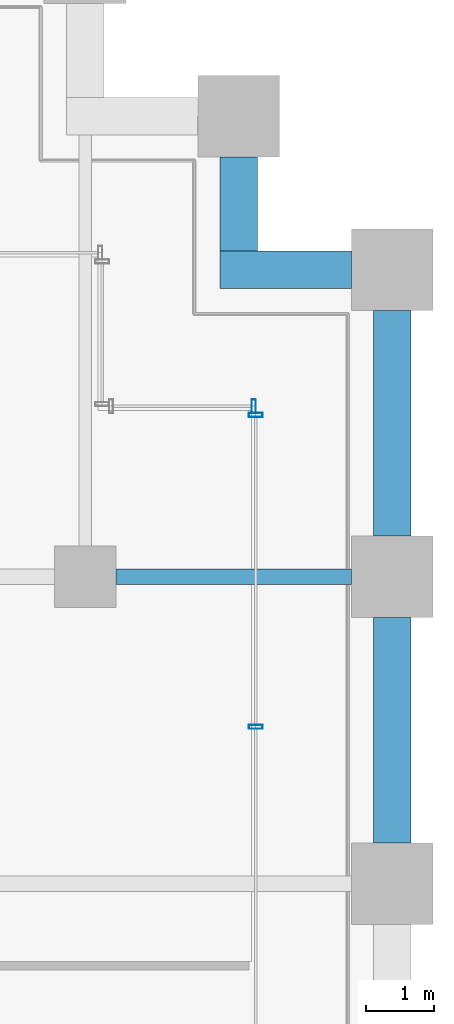
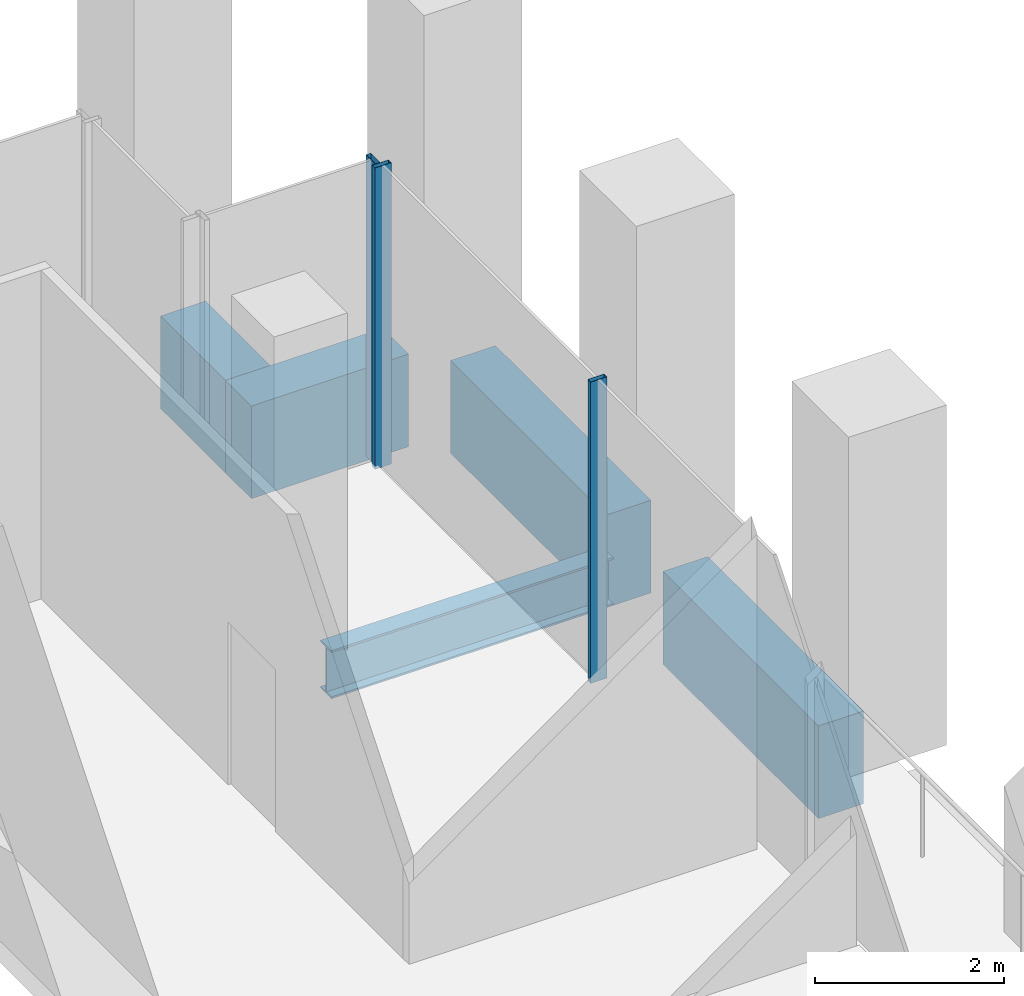
# One storey, part 27 of 36: 5 beams, 3 members, 2 elements without a shape of their own.
"""IFC4 building model written with IfcOpenShell, lengths in metres."""

from ifc_helpers import new_model, si_unit, direction, frame, origin, origin_2d, place, context, subcontext, project, spatial, rectangle, hollow_rectangle, i_section, extrude, material, material_profile, profile_set, type_object, element, aggregate, save


model = new_model("IFC4")

# Units and contexts
model_context = context("Model", 3, precision=1e-05, world=origin(), true_north=direction((0.0, 1.0)))
body_context = subcontext(model_context, "Body", "Model", "MODEL_VIEW")
ifc_project = project(units=[si_unit("LENGTHUNIT", "METRE"), si_unit("AREAUNIT", "SQUARE_METRE"), si_unit("VOLUMEUNIT", "CUBIC_METRE"), si_unit("PLANEANGLEUNIT", "RADIAN"), si_unit("MASSUNIT", "GRAM", prefix="KILO")], contexts=[model_context])

# Site, building, storey
site_placement = place(None, origin())
site = spatial("IfcSite", under=ifc_project, at=site_placement, CompositionType="ELEMENT")
building_placement = place(site_placement, origin())
building = spatial("IfcBuilding", under=site, at=building_placement, Name="Altepetl Exchange Towers", CompositionType="ELEMENT")
storey_placement = place(building_placement, frame((0.0, 0.0, 43.0)))
storey = spatial("IfcBuildingStorey", under=building, at=storey_placement, Name="L09", CompositionType="ELEMENT", Elevation=43.0)

# Beam
ifc_material_1 = material(Name="Steel S355", Category="steel")
ifc_material_profile_1 = material_profile(ifc_material_1, i_section(OverallWidth=0.22900390625, OverallDepth=0.623046875, WebThickness=0.013916015625, FlangeThickness=0.02490234375, at=origin_2d()), Name="W24X103")
ifc_profile_set_1 = profile_set([ifc_material_profile_1], Name="Steel S355")
beam_type_1 = type_object("IfcBeamType", Name="Girder W24X103", PredefinedType="BEAM", material=ifc_profile_set_1)
beam_1_placement = place(storey_placement, frame((121.949951171875, 49.5, -0.486572265625), z_axis=(1.0, 0.0, 0.0), x_axis=(0.0, 1.0, 0.0)))
element("IfcBeam", 1, at=beam_1_placement, inside=storey, type_object=beam_type_1, Name="gd:B:L09:001", PredefinedType="BEAM", context=body_context, shape_type="SweptSolid", body=[
    extrude(i_section(OverallWidth=0.22900390625, OverallDepth=0.623046875, WebThickness=0.013916015625, FlangeThickness=0.02490234375, at=origin_2d()), origin(), (0.0, 0.0, 1.0), 3.449951171875),
])

# Curtain wall, members
ifc_material_2 = material(Name="Aluminium 6063-T6 glazing", Category="aluminium")
curtain_wall_type = type_object("IfcCurtainWallType", Name="Trading floor glazing system", PredefinedType="NOTDEFINED", material=ifc_material_2)
curtain_wall_1_placement = place(storey_placement, origin())
curtain_wall_1 = element("IfcCurtainWall", 2, at=curtain_wall_1_placement, inside=storey, type_object=curtain_wall_type, Name="CW2 run", PredefinedType="NOTDEFINED")
ifc_material_3 = material(Name="Aluminium 6063-T6", Category="aluminium")
ifc_material_profile_2 = material_profile(ifc_material_3, hollow_rectangle(XDim=0.06005859375, YDim=0.199951171875, WallThickness=0.0029296875, at=origin_2d()), Name="Mullion 60x200 aluminium")
ifc_profile_set_2 = profile_set([ifc_material_profile_2], Name="Aluminium 6063-T6")
member_type = type_object("IfcMemberType", Name="Mullion 60x200 aluminium", PredefinedType="MULLION", material=ifc_profile_set_2)
member_1_placement = place(storey_placement, frame((124.0, 47.300048828125, 0.0), z_axis=(0.0, 0.0, 1.0), x_axis=(0.0, 1.0, 0.0)))
member_1 = element("IfcMember", 3, at=member_1_placement, type_object=member_type, Name="MU2 mullion", PredefinedType="MULLION", context=body_context, shape_type="SweptSolid", body=[
    extrude(hollow_rectangle(XDim=0.06005859375, YDim=0.199951171875, WallThickness=0.0029296875, at=origin_2d()), origin(), (0.0, 0.0, 1.0), 3.89990234375),
])
member_2_placement = place(storey_placement, frame((124.0, 51.8701171875, 0.0), z_axis=(0.0, 0.0, 1.0), x_axis=(0.0, 1.0, 0.0)))
member_2 = element("IfcMember", 4, at=member_2_placement, type_object=member_type, Name="MU2 mullion", PredefinedType="MULLION", context=body_context, shape_type="SweptSolid", body=[
    extrude(hollow_rectangle(XDim=0.06005859375, YDim=0.199951171875, WallThickness=0.0029296875, at=origin_2d()), origin(), (0.0, 0.0, 1.0), 3.89990234375),
])
aggregate(curtain_wall_1, [member_1, member_2])

# Curtain wall, member
curtain_wall_2_placement = place(storey_placement, origin())
curtain_wall_2 = element("IfcCurtainWall", 5, at=curtain_wall_2_placement, inside=storey, type_object=curtain_wall_type, Name="CW2 run", PredefinedType="NOTDEFINED")
member_3_placement = place(storey_placement, frame((123.969970703125, 52.0, 0.0), z_axis=(0.0, 0.0, 1.0), x_axis=(-1.0, 0.0, 0.0)))
member_3 = element("IfcMember", 6, at=member_3_placement, type_object=member_type, Name="MU2 mullion", PredefinedType="MULLION", context=body_context, shape_type="SweptSolid", body=[
    extrude(hollow_rectangle(XDim=0.06005859375, YDim=0.199951171875, WallThickness=0.0029296875, at=origin_2d()), origin(), (0.0, 0.0, 1.0), 3.89990234375),
])
aggregate(curtain_wall_2, [member_3])

# Beams
ifc_material_4 = material(Name="Concrete C50/60 precast with cantera amarilla facing", Category="concrete")
ifc_material_profile_3 = material_profile(ifc_material_4, rectangle(XDim=0.550048828125, YDim=1.199951171875, at=origin_2d()), Name="550 x 1200")
ifc_profile_set_3 = profile_set([ifc_material_profile_3], Name="Concrete C50/60 precast with cantera amarilla facing")
beam_type_2 = type_object("IfcBeamType", Name="Spandrel beam 550x1200 cantera amarilla", PredefinedType="SPANDREL", material=ifc_profile_set_3)
beam_2_placement = place(storey_placement, frame((126.0, 50.10009765625, -0.77490234375), z_axis=(0.0, 1.0, 0.0), x_axis=(-1.0, 0.0, 0.0)))
element("IfcBeam", 7, at=beam_2_placement, inside=storey, type_object=beam_type_2, Name="sp:B:L09:013", PredefinedType="SPANDREL", context=body_context, shape_type="SweptSolid", body=[
    extrude(rectangle(XDim=0.550048828125, YDim=1.199951171875, at=origin_2d()), origin(), (0.0, 0.0, 1.0), 3.2998046875),
])
beam_3_placement = place(storey_placement, frame((125.39990234375, 54.0, -0.77490234375), z_axis=(-1.0, 0.0, 0.0), x_axis=(0.0, -1.0, 0.0)))
element("IfcBeam", 8, at=beam_3_placement, inside=storey, type_object=beam_type_2, Name="sp:B:L09:014", PredefinedType="SPANDREL", context=body_context, shape_type="SweptSolid", body=[
    extrude(rectangle(XDim=0.550048828125, YDim=1.199951171875, at=origin_2d()), origin(), (0.0, 0.0, 1.0), 1.9248046875),
])
beam_4_placement = place(storey_placement, frame((123.75, 54.27490234375, -0.77490234375), z_axis=(0.0, 1.0, 0.0), x_axis=(-1.0, 0.0, 0.0)))
element("IfcBeam", 9, at=beam_4_placement, inside=storey, type_object=beam_type_2, Name="sp:B:L09:015", PredefinedType="SPANDREL", context=body_context, shape_type="SweptSolid", body=[
    extrude(rectangle(XDim=0.550048828125, YDim=1.199951171875, at=origin_2d()), origin(), (0.0, 0.0, 1.0), 1.375),
])
ifc_material_5 = material(Name="Concrete C50/60 precast with cantera blanca facing", Category="concrete")
ifc_material_profile_4 = material_profile(ifc_material_5, rectangle(XDim=0.550048828125, YDim=1.199951171875, at=origin_2d()), Name="550 x 1200")
ifc_profile_set_4 = profile_set([ifc_material_profile_4], Name="Concrete C50/60 precast with cantera blanca facing")
beam_type_3 = type_object("IfcBeamType", Name="Spandrel beam 550x1200 cantera blanca", PredefinedType="SPANDREL", material=ifc_profile_set_4)
beam_5_placement = place(storey_placement, frame((126.0, 45.60009765625, -0.77490234375), z_axis=(0.0, 1.0, 0.0), x_axis=(-1.0, 0.0, 0.0)))
element("IfcBeam", 10, at=beam_5_placement, inside=storey, type_object=beam_type_3, Name="sp:B:L09:012", PredefinedType="SPANDREL", context=body_context, shape_type="SweptSolid", body=[
    extrude(rectangle(XDim=0.550048828125, YDim=1.199951171875, at=origin_2d()), origin(), (0.0, 0.0, 1.0), 3.2998046875),
])

save(model, "model.ifc")
